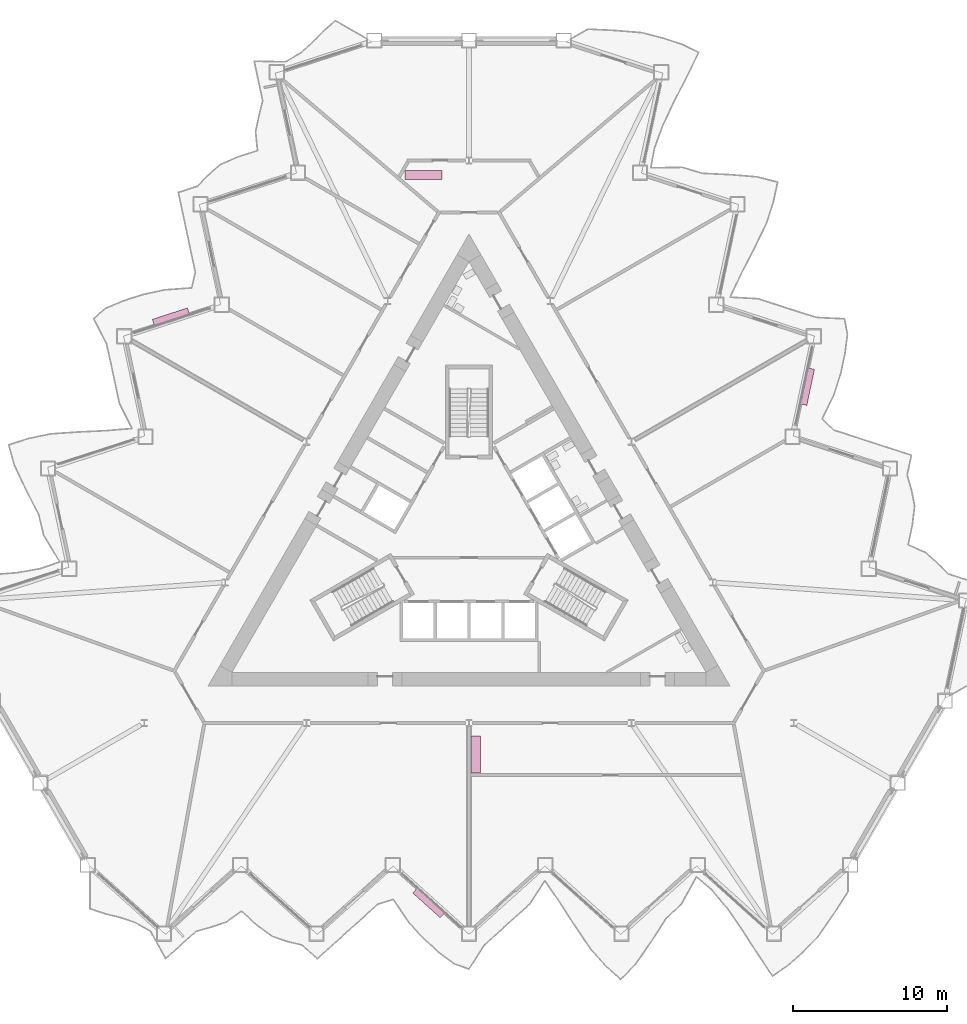
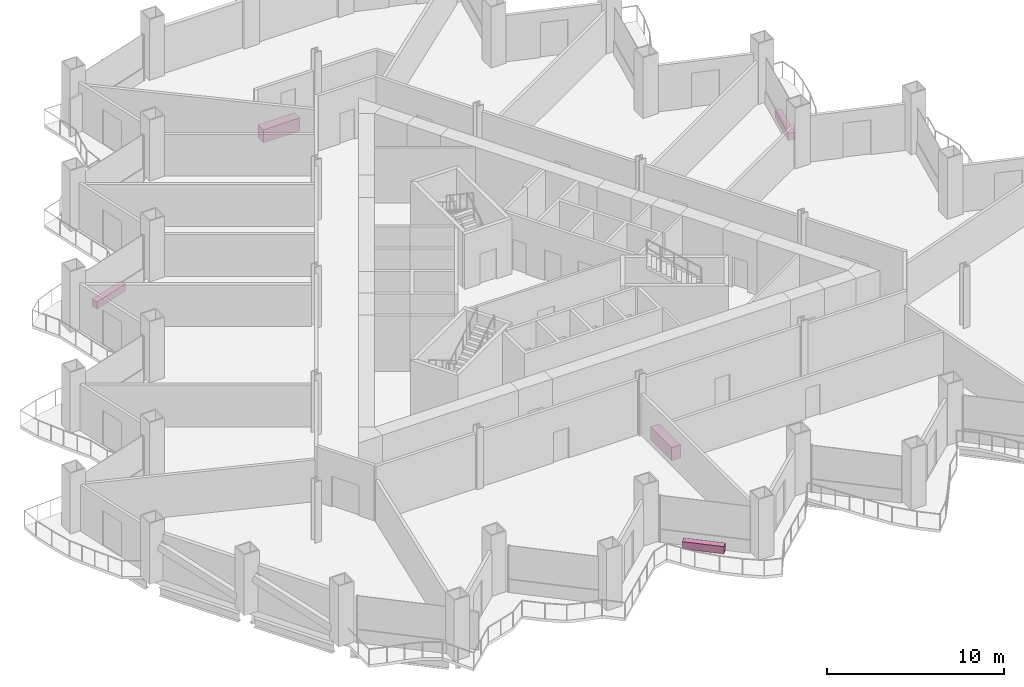
# One storey, part 21 of 21: 5 furniture elements.
"""IFC4 building model written with IfcOpenShell, lengths in metres."""

from ifc_helpers import new_model, si_unit, direction, frame, origin, origin_2d, place, context, subcontext, project, spatial, rectangle, extrude, material, type_object, element, save


model = new_model("IFC4")

# Units and contexts
model_context = context("Model", 3, precision=1e-05, world=origin(), true_north=direction((0.0, 1.0)))
body_context = subcontext(model_context, "Body", "Model", "MODEL_VIEW")
ifc_project = project(units=[si_unit("LENGTHUNIT", "METRE"), si_unit("AREAUNIT", "SQUARE_METRE"), si_unit("VOLUMEUNIT", "CUBIC_METRE"), si_unit("PLANEANGLEUNIT", "RADIAN"), si_unit("MASSUNIT", "GRAM", prefix="KILO")], contexts=[model_context])

# Site, building, storey
site_placement = place(None, origin())
site = spatial("IfcSite", under=ifc_project, at=site_placement, CompositionType="ELEMENT")
building_placement = place(site_placement, origin())
building = spatial("IfcBuilding", under=site, at=building_placement, Name="Cormorant Prow Tower", CompositionType="ELEMENT")
storey_placement = place(building_placement, frame((0.0, 0.0, 76.199951171875)))
storey = spatial("IfcBuildingStorey", under=building, at=storey_placement, Name="L16", CompositionType="ELEMENT", Elevation=76.199951171875)

# Furniture
ifc_material_1 = material(Name="Terracotta", Category="masonry")
furniture_type_1 = type_object("IfcFurnitureType", Name="Balcony planter 2400x400x500", AssemblyPlace="NOTDEFINED", PredefinedType="USERDEFINED", material=ifc_material_1)
for number, where, z_axis, x_axis, name in (
    (1, (-2.637451171875, -23.94384765625, 0.0), (0.0, 0.0, 1.0), (0.743144814546, -0.669130618499, 0.0), "Balcony planter S04"),
    (2, (22.0546875, 9.687744140625, 0.0), (0.0, 0.0, 1.0), (0.207911722401, 0.978147594021, 0.0), "Balcony planter ENE04"),
    (3, (-19.417236328125, 14.256103515625, 0.0), (0.0, 0.0, 1.0), (-0.951056501658, -0.309017039425, 0.0), "Balcony planter WNW04"),
):
    element("IfcFurniture", number, at=place(storey_placement, frame(where, z_axis=z_axis, x_axis=x_axis)), inside=storey, type_object=furniture_type_1, Name=name, ObjectType="PLANTER", PredefinedType="USERDEFINED", context=body_context, shape_type="SweptSolid", body=[
        extrude(rectangle(XDim=2.39990234375, YDim=0.39990234375, at=origin_2d()), origin(), (0.0, 0.0, 1.0), 0.5),
    ])
ifc_material_2 = material(Name="Timber joinery", Category="wood")
furniture_type_2 = type_object("IfcFurnitureType", Name="Kitchen counter 2400x600", AssemblyPlace="NOTDEFINED", PredefinedType="NOTDEFINED", material=ifc_material_2)
for number, where, z_axis, x_axis, name in (
    (4, (0.445068359375, -14.27001953125, 0.0), (0.0, 0.0, 1.0), (0.0, 1.0, 0.0), "Kitchen counter"),
    (5, (-2.974365234375, 23.474853515625, 0.0), (0.0, 0.0, 1.0), (1.0, 0.0, 0.0), "Kitchen counter"),
):
    element("IfcFurniture", number, at=place(storey_placement, frame(where, z_axis=z_axis, x_axis=x_axis)), inside=storey, type_object=furniture_type_2, Name=name, PredefinedType="NOTDEFINED", context=body_context, shape_type="SweptSolid", body=[
        extrude(rectangle(XDim=2.39990234375, YDim=0.60009765625, at=origin_2d()), origin(), (0.0, 0.0, 1.0), 0.89990234375),
    ])

save(model, "model.ifc")
